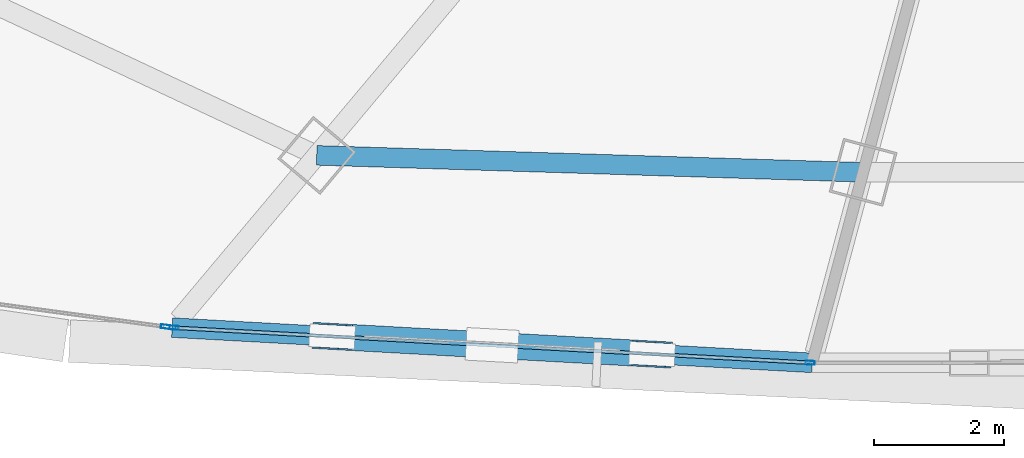
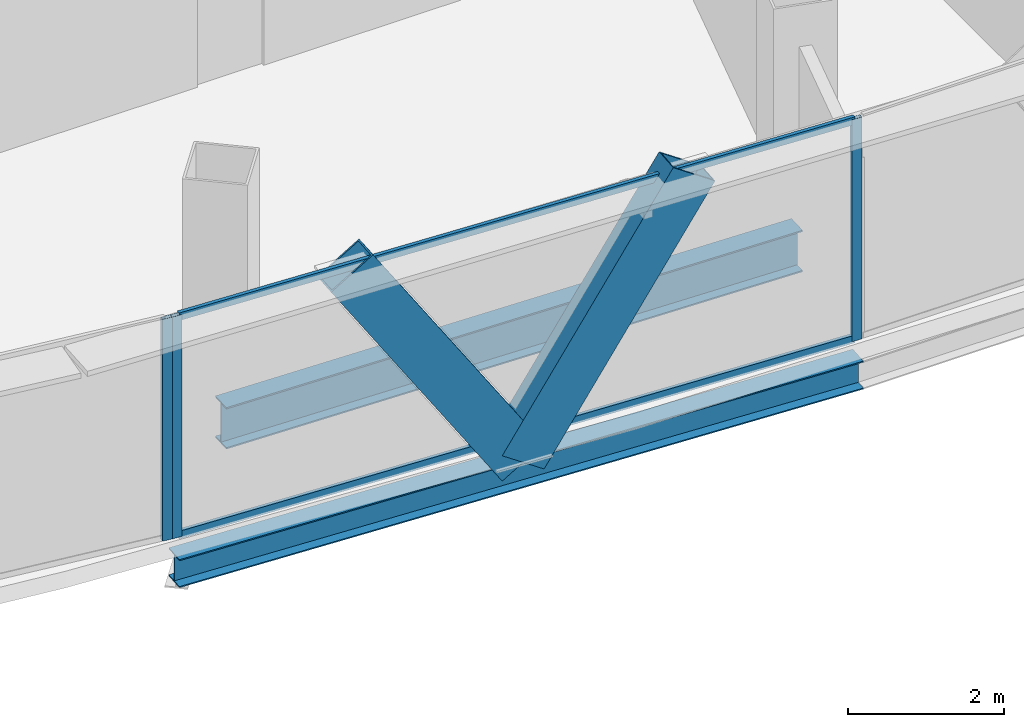
# One storey, part 6 of 34: 7 members, 2 beams, 2 elements without a shape of their own.
"""IFC4 building model written with IfcOpenShell, lengths in metres."""

from ifc_helpers import new_model, si_unit, direction, frame, origin, origin_2d, place, context, subcontext, project, spatial, hollow_rectangle, i_section, extrude, source, transform, mapped, material, layer, layer_set, material_profile, profile_set, type_object, element, aggregate, save


model = new_model("IFC4")

# Units and contexts
model_context = context("Model", 3, precision=1e-05, world=origin(), true_north=direction((0.0, 1.0)))
body_context = subcontext(model_context, "Body", "Model", "MODEL_VIEW")
ifc_project = project(units=[si_unit("LENGTHUNIT", "METRE"), si_unit("AREAUNIT", "SQUARE_METRE"), si_unit("VOLUMEUNIT", "CUBIC_METRE"), si_unit("PLANEANGLEUNIT", "RADIAN"), si_unit("MASSUNIT", "GRAM", prefix="KILO"), si_unit("THERMODYNAMICTEMPERATUREUNIT", "KELVIN"), si_unit("POWERUNIT", "WATT")], contexts=[model_context])

# Site, building, storey
site_placement = place(None, origin())
site = spatial("IfcSite", under=ifc_project, at=site_placement, CompositionType="ELEMENT")
building_placement = place(site_placement, origin())
building = spatial("IfcBuilding", under=site, at=building_placement, Name="Yunzhuo Pagoda Commons", CompositionType="ELEMENT")
storey_placement = place(building_placement, frame((0.0, 0.0, 233.340087890625)))
storey = spatial("IfcBuildingStorey", under=building, at=storey_placement, Name="L58", CompositionType="ELEMENT", Elevation=233.340087890625)

# Beams
ifc_material_1 = material(Name="Structural steel Q355B", Category="steel")
ifc_material_profile_1 = material_profile(ifc_material_1, i_section(OverallWidth=0.300048828125, OverallDepth=0.43994140625, WebThickness=0.010986328125, FlangeThickness=0.01806640625, at=origin_2d()), Name="Structural steel Q355B")
ifc_profile_set_1 = profile_set([ifc_material_profile_1], Name="Structural steel Q355B")
beam_type_1 = type_object("IfcBeamType", Name="B-SP2 Beam HM 440x300x11x18", PredefinedType="BEAM", material=ifc_profile_set_1)
shared_shape_1 = source(origin(), body_context, "Body", "SweptSolid", [
    extrude(i_section(OverallWidth=0.300048828125, OverallDepth=0.43994140625, WebThickness=0.010986328125, FlangeThickness=0.01806640625, at=origin_2d()), origin(), (0.0, 0.0, 1.0), 9.823486328125),
])
beam_1_placement = place(storey_placement, frame((33.377197265625, 16.273681640625, -0.47998046875), z_axis=(0.998486395032, -0.054999263048, 0.0), x_axis=(0.054999263048, 0.998486395032, 0.0)))
element("IfcBeam", 1, at=beam_1_placement, inside=storey, type_object=beam_type_1, Name="L58 facade edge spandrel beam F1.1", PredefinedType="BEAM", context=body_context, shape_type="MappedRepresentation", body=[
    mapped(shared_shape_1, transform((0.0, 0.0, 0.0), scale=1.0)),
])
ifc_material_profile_2 = material_profile(ifc_material_1, i_section(OverallWidth=0.300048828125, OverallDepth=0.64990234375, WebThickness=0.012939453125, FlangeThickness=0.02197265625, at=origin_2d()), Name="Structural steel Q355B")
ifc_profile_set_2 = profile_set([ifc_material_profile_2], Name="Structural steel Q355B")
beam_type_2 = type_object("IfcBeamType", Name="B-RG2 Beam HN 650x300x13x22", PredefinedType="BEAM", material=ifc_profile_set_2)
shared_shape_2 = source(origin(), body_context, "Body", "SweptSolid", [
    extrude(i_section(OverallWidth=0.300048828125, OverallDepth=0.64990234375, WebThickness=0.012939453125, FlangeThickness=0.02197265625, at=origin_2d()), origin(), (0.0, 0.0, 1.0), 8.37939453125),
])
beam_2_placement = place(storey_placement, frame((35.593017578125, 18.913818359375, -0.585205078125), z_axis=(0.999519382133, -0.031000076447, 0.0), x_axis=(0.031000076447, 0.999519382133, 0.0)))
element("IfcBeam", 2, at=beam_2_placement, inside=storey, type_object=beam_type_2, Name="L58 column-ring beam 1", PredefinedType="BEAM", context=body_context, shape_type="MappedRepresentation", body=[
    mapped(shared_shape_2, transform((0.0, 0.0, 0.0), scale=1.0)),
])

# Members
ifc_material_profile_3 = material_profile(ifc_material_1, hollow_rectangle(XDim=0.39990234375, YDim=0.719970703125, WallThickness=0.02392578125, at=origin_2d()), Name="Structural steel Q355B")
ifc_profile_set_3 = profile_set([ifc_material_profile_3], Name="Structural steel Q355B")
member_type_1 = type_object("IfcMemberType", Name="M-DL2 Brace BOX 720x400x24", PredefinedType="BRACE", material=ifc_profile_set_3)
shared_shape_3 = source(origin(), body_context, "Body", "SweptSolid", [
    extrude(hollow_rectangle(XDim=0.39990234375, YDim=0.719970703125, WallThickness=0.02392578125, at=origin_2d()), origin(), (0.0, 0.0, 1.0), 4.4658203125),
])
for number, where, z_axis, x_axis, name in (
    (3, (38.281494140625, 16.00341796875, -0.260009765625), (-0.549086128168, 0.030231444532, 0.835218823791), (-0.054974485367, -0.998487759544, 0.0), "L58 facade diamond brace F1.1L"),
    (4, (38.281494140625, 16.00341796875, -0.260009765625), (0.549086128168, -0.030231444532, 0.835218823791), (0.054974485367, 0.998487759544, 0.0), "L58 facade diamond brace F1.1R"),
):
    element("IfcMember", number, at=place(storey_placement, frame(where, z_axis=z_axis, x_axis=x_axis)), inside=storey, type_object=member_type_1, Name=name, PredefinedType="BRACE", context=body_context, shape_type="MappedRepresentation", body=[
        mapped(shared_shape_3, transform((0.0, 0.0, 0.0), scale=1.0)),
    ])

# Curtain wall, members
ifc_material_2 = material(Name="Anodized aluminium 6063-T6", Category="aluminium")
ifc_layer = layer(ifc_material_2, 0.139892578125)
ifc_layer_set = layer_set([ifc_layer], Name="Anodized aluminium 6063-T6")
curtain_wall_type = type_object("IfcCurtainWallType", Name="CW-HI High-Zone Ribbon Curtain Wall", PredefinedType="NOTDEFINED", material=ifc_layer_set)
curtain_wall_1_placement = place(storey_placement, origin())
curtain_wall_1 = element("IfcCurtainWall", 5, at=curtain_wall_1_placement, inside=storey, type_object=curtain_wall_type, Name="L58 curtain wall CW-L58-F1B2", PredefinedType="NOTDEFINED")
ifc_material_profile_4 = material_profile(ifc_material_2, hollow_rectangle(XDim=0.06005859375, YDim=0.139892578125, WallThickness=0.00341796875, at=origin_2d()), Name="Anodized aluminium 6063-T6")
ifc_profile_set_4 = profile_set([ifc_material_profile_4], Name="Anodized aluminium 6063-T6")
member_type_2 = type_object("IfcMemberType", Name="CW-HI-M Mullion RHS 140x60x3.5", PredefinedType="MULLION", material=ifc_profile_set_4)
shared_shape_4 = source(origin(), body_context, "Body", "SweptSolid", [
    extrude(hollow_rectangle(XDim=0.06005859375, YDim=0.139892578125, WallThickness=0.00341796875, at=origin_2d()), origin(), (0.0, 0.0, 1.0), 3.469970703125),
])
member_1_placement = place(storey_placement, frame((33.4072265625, 16.27197265625, 0.0), z_axis=(0.0, 0.0, 1.0), x_axis=(0.054981193813, 0.998487390169, 0.0)))
member_1 = element("IfcMember", 6, at=member_1_placement, type_object=member_type_2, Name="CW mullion 1", PredefinedType="MULLION", context=body_context, shape_type="MappedRepresentation", body=[
    mapped(shared_shape_4, transform((0.0, 0.0, 0.0), scale=1.0)),
])
member_2_placement = place(storey_placement, frame((43.15576171875, 15.73486328125, 0.0), z_axis=(0.0, 0.0, 1.0), x_axis=(0.054981193813, 0.998487390169, 0.0)))
member_2 = element("IfcMember", 7, at=member_2_placement, type_object=member_type_2, Name="CW mullion 2", PredefinedType="MULLION", context=body_context, shape_type="MappedRepresentation", body=[
    mapped(shared_shape_4, transform((0.0, 0.0, 0.0), scale=1.0)),
])

# Curtain wall, member
curtain_wall_2_placement = place(storey_placement, origin())
curtain_wall_2 = element("IfcCurtainWall", 8, at=curtain_wall_2_placement, inside=storey, type_object=curtain_wall_type, Name="L58 curtain wall CW-L58-F1B1", PredefinedType="NOTDEFINED")
member_3_placement = place(storey_placement, frame((33.273193359375, 16.28759765625, 0.0), z_axis=(0.0, 0.0, 1.0), x_axis=(0.133929585963, 0.990990850616, 0.0)))
member_3 = element("IfcMember", 9, at=member_3_placement, type_object=member_type_2, Name="CW mullion 2", PredefinedType="MULLION", context=body_context, shape_type="MappedRepresentation", body=[
    mapped(shared_shape_4, transform((0.0, 0.0, 0.0), scale=1.0)),
])
aggregate(curtain_wall_2, [member_3])

# Member
ifc_material_profile_5 = material_profile(ifc_material_2, hollow_rectangle(XDim=0.054931640625, YDim=0.1201171875, WallThickness=0.00341796875, at=origin_2d()), Name="Anodized aluminium 6063-T6")
ifc_profile_set_5 = profile_set([ifc_material_profile_5], Name="Anodized aluminium 6063-T6")
member_type_3 = type_object("IfcMemberType", Name="CW-HI-T Transom RHS 120x55x3.5", PredefinedType="USERDEFINED", material=ifc_profile_set_5)
shared_shape_5 = source(origin(), body_context, "Body", "SweptSolid", [
    extrude(hollow_rectangle(XDim=0.054931640625, YDim=0.1201171875, WallThickness=0.00341796875, at=origin_2d()), origin(), (0.0, 0.0, 1.0), 9.703369140625),
])
member_4_placement = place(storey_placement, frame((33.437255859375, 16.270263671875, 0.02734375), z_axis=(0.998486332061, -0.055000406246, 0.0), x_axis=(0.055000406246, 0.998486332061, 0.0)))
member_4 = element("IfcMember", 10, at=member_4_placement, type_object=member_type_3, Name="CW transom 1.1", ObjectType="TRANSOM", PredefinedType="USERDEFINED", context=body_context, shape_type="MappedRepresentation", body=[
    mapped(shared_shape_5, transform((0.0, 0.0, 0.0), scale=1.0)),
])

member_5_placement = place(storey_placement, frame((33.437255859375, 16.270263671875, 3.4423828125), z_axis=(0.998486332061, -0.055000406246, 0.0), x_axis=(0.055000406246, 0.998486332061, 0.0)))
member_5 = element("IfcMember", 11, at=member_5_placement, type_object=member_type_3, Name="CW transom 1.2", ObjectType="TRANSOM", PredefinedType="USERDEFINED", context=body_context, shape_type="MappedRepresentation", body=[
    mapped(shared_shape_5, transform((0.0, 0.0, 0.0), scale=1.0)),
])

aggregate(curtain_wall_1, [member_1, member_2, member_4, member_5])

save(model, "model.ifc")
